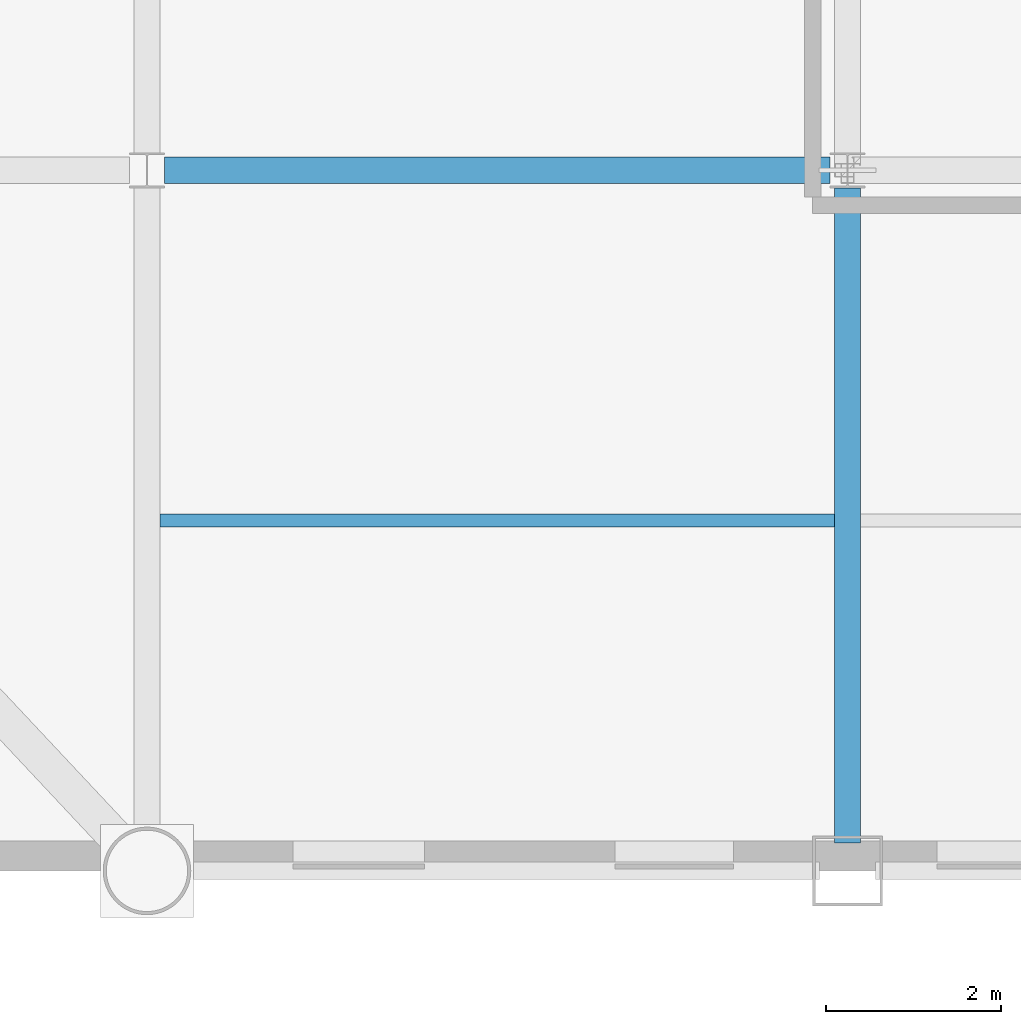
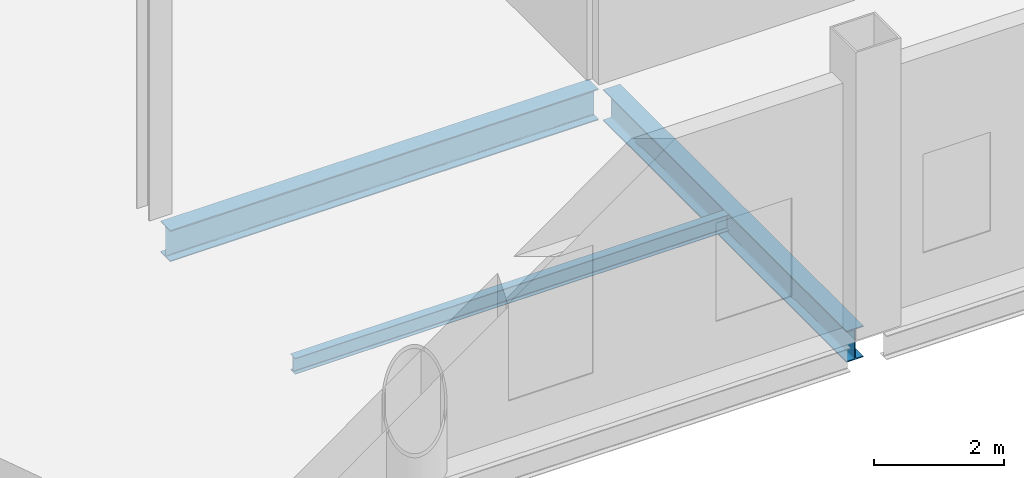
# One storey, part 5 of 23: 3 beams.
"""IFC4 building model written with IfcOpenShell, lengths in metres."""

from ifc_helpers import new_model, si_unit, direction, frame, origin, origin_2d, place, context, subcontext, project, spatial, i_section, extrude, material, material_profile, profile_set, type_object, element, save


model = new_model("IFC4")

# Units and contexts
model_context = context("Model", 3, precision=1e-05, world=origin(), true_north=direction((0.0, 1.0)))
body_context = subcontext(model_context, "Body", "Model", "MODEL_VIEW")
ifc_project = project(units=[si_unit("LENGTHUNIT", "METRE"), si_unit("AREAUNIT", "SQUARE_METRE"), si_unit("VOLUMEUNIT", "CUBIC_METRE"), si_unit("PLANEANGLEUNIT", "RADIAN"), si_unit("MASSUNIT", "GRAM", prefix="KILO")], contexts=[model_context])

# Site, building, storey
site_placement = place(None, origin())
site = spatial("IfcSite", under=ifc_project, at=site_placement, CompositionType="ELEMENT")
building_placement = place(site_placement, origin())
building = spatial("IfcBuilding", under=site, at=building_placement, Name="Qianrong Seaharbour Tower", CompositionType="ELEMENT")
storey_placement = place(building_placement, frame((0.0, 0.0, 281.800048828125)))
storey = spatial("IfcBuildingStorey", under=building, at=storey_placement, Name="L68", CompositionType="ELEMENT", Elevation=281.800048828125)

# Beams
ifc_material_1 = material(Name="Structural steel SN490B", Category="steel")
ifc_material_profile_1 = material_profile(ifc_material_1, i_section(OverallWidth=0.300048828125, OverallDepth=0.587890625, WebThickness=0.011962890625, FlangeThickness=0.02001953125, FilletRadius=0.02392578125, at=origin_2d()), Name="H588x300x12x20")
ifc_profile_set_1 = profile_set([ifc_material_profile_1], Name="Structural steel SN490B")
beam_type_1 = type_object("IfcBeamType", Name="BM-G-588", PredefinedType="BEAM", material=ifc_profile_set_1)
beam_1_placement = place(storey_placement, frame((16.699951171875, 36.0, -0.64404296875), z_axis=(1.0, 0.0, 0.0), x_axis=(0.0, 1.0, 0.0)))
element("IfcBeam", 1, at=beam_1_placement, inside=storey, type_object=beam_type_1, Name="L68 Primary Girder GF G3-G4", PredefinedType="BEAM", context=body_context, shape_type="SweptSolid", body=[
    extrude(i_section(OverallWidth=0.300048828125, OverallDepth=0.587890625, WebThickness=0.011962890625, FlangeThickness=0.02001953125, FilletRadius=0.02392578125, at=origin_2d()), origin(), (0.0, 0.0, 1.0), 7.60009765625),
])
beam_2_placement = place(storey_placement, frame((24.5, 28.320068359375, -0.64404296875), z_axis=(0.0, 1.0, 0.0), x_axis=(-1.0, 0.0, 0.0)))
element("IfcBeam", 2, at=beam_2_placement, inside=storey, type_object=beam_type_1, Name="L68 Primary Girder G4 GE-GF", PredefinedType="BEAM", context=body_context, shape_type="SweptSolid", body=[
    extrude(i_section(OverallWidth=0.300048828125, OverallDepth=0.587890625, WebThickness=0.011962890625, FlangeThickness=0.02001953125, FilletRadius=0.02392578125, at=origin_2d()), origin(), (0.0, 0.0, 1.0), 7.47998046875),
])
ifc_material_2 = material(Name="Structural steel SN400B", Category="steel")
ifc_material_profile_2 = material_profile(ifc_material_2, i_section(OverallWidth=0.14990234375, OverallDepth=0.300048828125, WebThickness=0.006591796875, FlangeThickness=0.009033203125, FilletRadius=0.012939453125, at=origin_2d()), Name="H300x150x6.5x9")
ifc_profile_set_2 = profile_set([ifc_material_profile_2], Name="Structural steel SN400B")
beam_type_2 = type_object("IfcBeamType", Name="BM-J-300", PredefinedType="JOIST", material=ifc_profile_set_2)
beam_3_placement = place(storey_placement, frame((16.64990234375, 32.0, -0.5), z_axis=(1.0, 0.0, 0.0), x_axis=(0.0, 1.0, 0.0)))
element("IfcBeam", 3, at=beam_3_placement, inside=storey, type_object=beam_type_2, Name="L68 Composite Floor Joist G3-G4/GE-GF", PredefinedType="JOIST", context=body_context, shape_type="SweptSolid", body=[
    extrude(i_section(OverallWidth=0.14990234375, OverallDepth=0.300048828125, WebThickness=0.006591796875, FlangeThickness=0.009033203125, FilletRadius=0.012939453125, at=origin_2d()), origin(), (0.0, 0.0, 1.0), 7.7001953125),
])

save(model, "model.ifc")
